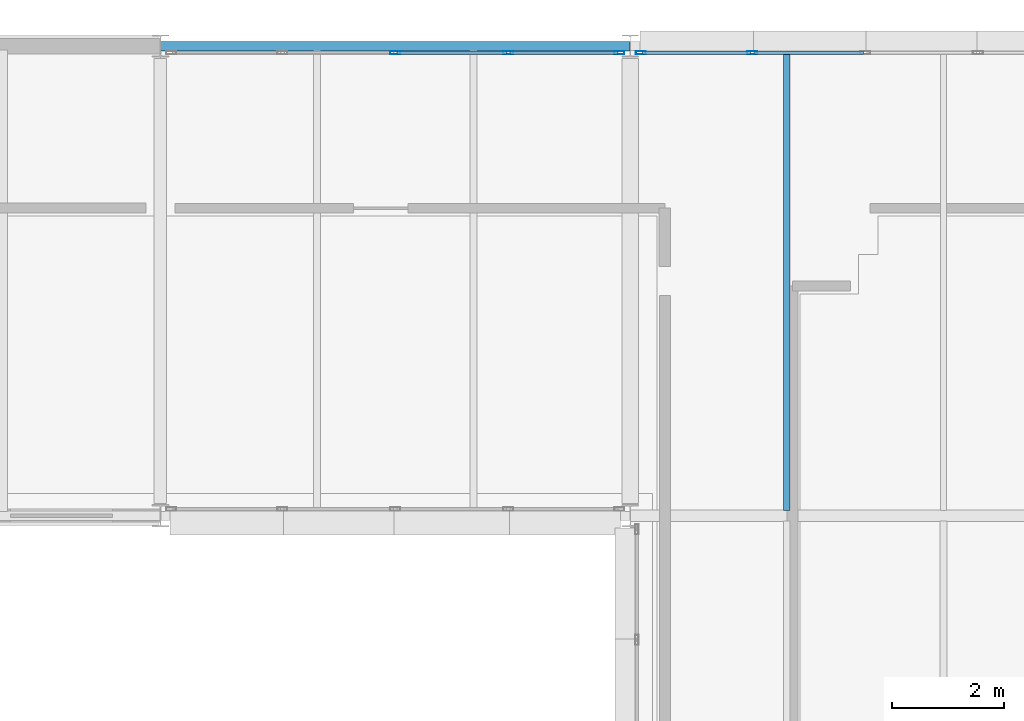
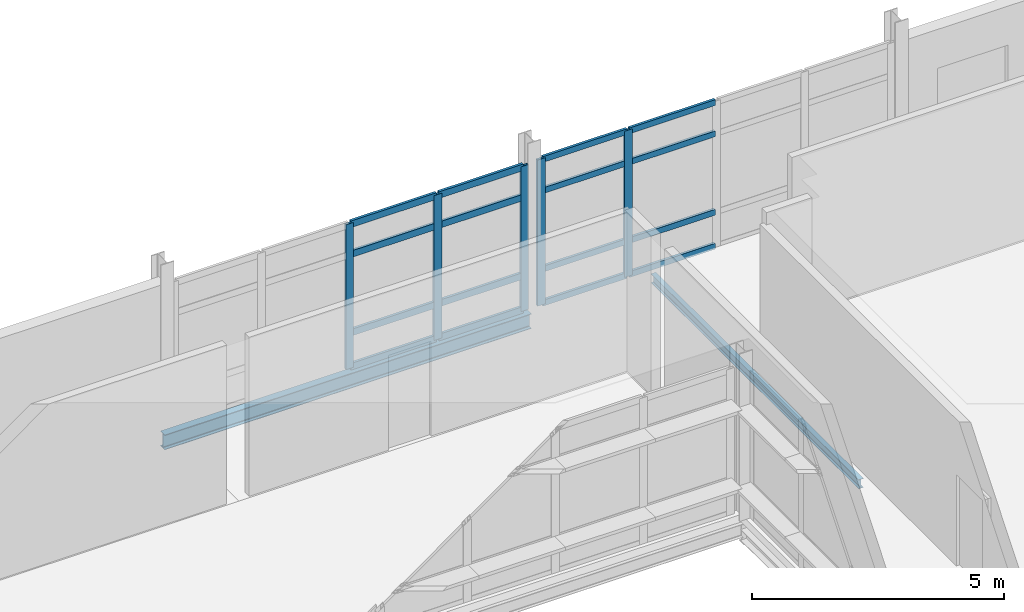
# One storey, part 47 of 103: 21 members, 2 beams, 2 elements without a shape of their own.
"""IFC4 building model written with IfcOpenShell, lengths in metres."""

import ifcopenshell
import ifcopenshell.guid

model = None  # the IFC model being written
_history = None  # IfcOwnerHistory: only IFC2X3 demands one
_inside = {}  # id of a spatial element -> (the spatial element, [elements in it])
_under = {}  # id of a project, library or spatial element -> (it, [spatial elements below it])
_declared = {}  # id of a project -> (the project, [libraries it declares])
_typed = {}  # id of a type object -> (the type object, [elements of that type])
_made_of = {}  # id of a material, layer set ... -> (it, [elements and type objects made of it])


def new_model(schema):
    """Start an empty IFC model of exactly this schema.

    Asked for "IFC4X3", IfcOpenShell would pick the latest addendum, in which some entities
    have other attributes; the version numbers below select the first issue.
    IFC2X3 requires an IfcOwnerHistory on every rooted entity: one is made here for all.
    """
    global model, _history
    if schema == "IFC4X3":
        model = ifcopenshell.file(schema_version=(4, 3, 0, 0))
    else:
        model = ifcopenshell.file(schema=schema)
    _inside.clear()
    _under.clear()
    _declared.clear()
    _typed.clear()
    _made_of.clear()
    _history = None
    if model.schema == "IFC2X3":
        org = make("IfcOrganization", Name="unknown")
        user = make(
            "IfcPersonAndOrganization",
            ThePerson=make("IfcPerson", FamilyName="unknown"),
            TheOrganization=org,
        )
        app = make(
            "IfcApplication",
            ApplicationDeveloper=org,
            Version="unknown",
            ApplicationFullName="unknown",
            ApplicationIdentifier="unknown",
        )
        _history = make(
            "IfcOwnerHistory",
            OwningUser=user,
            OwningApplication=app,
            ChangeAction="ADDED",
            CreationDate=0,
        )
    return model


def make(cls, **values):
    """One entity of the class cls with the attributes given. An attribute that is None is left unset."""
    return model.create_entity(
        cls, **{name: value for name, value in values.items() if value is not None}
    )


def rooted(cls, **values):
    """An entity with a GlobalId (a new one), such as an element, a storey or a relation."""
    return make(cls, GlobalId=ifcopenshell.guid.new(), OwnerHistory=_history, **values)


def si_unit(unit_type, name, prefix=None):
    """IfcSIUnit, for example si_unit("LENGTHUNIT", "METRE", prefix="MILLI")."""
    return make("IfcSIUnit", UnitType=unit_type, Prefix=prefix, Name=name)


def assignment(units):
    """IfcUnitAssignment: the units of a project."""
    return None if units is None else make("IfcUnitAssignment", Units=units)


def point(xyz):
    """IfcCartesianPoint."""
    return None if xyz is None else make("IfcCartesianPoint", Coordinates=xyz)


def direction(xyz):
    """IfcDirection."""
    return None if xyz is None else make("IfcDirection", DirectionRatios=xyz)


def frame(location, z_axis=None, x_axis=None):
    """IfcAxis2Placement3D, a coordinate frame: its origin and axes. An axis left out is left unset."""
    return make(
        "IfcAxis2Placement3D",
        Location=point(location),
        Axis=direction(z_axis),
        RefDirection=direction(x_axis),
    )


def frame_2d(location, x_axis=None):
    """IfcAxis2Placement2D, a coordinate frame in the plane: its origin and x axis."""
    return make(
        "IfcAxis2Placement2D", Location=point(location), RefDirection=direction(x_axis)
    )


def origin():
    """The frame at (0, 0, 0) with its axes left unset."""
    return frame((0.0, 0.0, 0.0))


def origin_2d():
    """The frame at (0, 0) in the plane with its x axis left unset."""
    return frame_2d((0.0, 0.0))


def place(relative_to, where):
    """IfcLocalPlacement: puts the frame where relative to a parent placement (None: the world)."""
    return make(
        "IfcLocalPlacement", PlacementRelTo=relative_to, RelativePlacement=where
    )


def context(
    kind, dimensions, precision=None, world=None, true_north=None, identifier=None
):
    """IfcGeometricRepresentationContext, for example the 3D "Model" context."""
    return make(
        "IfcGeometricRepresentationContext",
        ContextIdentifier=identifier,
        ContextType=kind,
        CoordinateSpaceDimension=dimensions,
        Precision=precision,
        WorldCoordinateSystem=world,
        TrueNorth=true_north,
    )


def subcontext(parent, identifier, kind, view, scale=None):
    """IfcGeometricRepresentationSubContext, for example "Body" below "Model"."""
    return make(
        "IfcGeometricRepresentationSubContext",
        ContextIdentifier=identifier,
        ContextType=kind,
        ParentContext=parent,
        TargetScale=scale,
        TargetView=view,
    )


def project(units=None, contexts=None):
    """IfcProject with its units and contexts."""
    return rooted(
        "IfcProject",
        Name="project",
        RepresentationContexts=contexts,
        UnitsInContext=assignment(units),
    )


def spatial(cls, under=None, at=None, **own):
    """A site, building, storey or space (cls), placed at a placement, below another one or the project."""
    s = rooted(cls, ObjectPlacement=at, **own)
    if under is not None:
        _under.setdefault(under.id(), (under, []))[1].append(s)
    return s


def profile(cls, at=None, kind="AREA", **sizes):
    """A parametric profile (cls). Its sizes go by their IFC names, for example OverallWidth=200.0."""
    return make(cls, ProfileType=kind, Position=at, **sizes)


def hollow_rectangle(**sizes):
    """IfcRectangleHollowProfileDef."""
    return profile("IfcRectangleHollowProfileDef", **sizes)


def i_section(**sizes):
    """IfcIShapeProfileDef."""
    return profile("IfcIShapeProfileDef", **sizes)


def extrude(swept, where, along, depth):
    """IfcExtrudedAreaSolid: the profile swept, set in the frame where, extruded along a direction by depth."""
    return make(
        "IfcExtrudedAreaSolid",
        SweptArea=swept,
        Position=where,
        ExtrudedDirection=direction(along),
        Depth=depth,
    )


def shape(context_of_items, identifier, shape_type, items):
    """IfcShapeRepresentation: the items that make up one representation, for example the "Body"."""
    return make(
        "IfcShapeRepresentation",
        ContextOfItems=context_of_items,
        RepresentationIdentifier=identifier,
        RepresentationType=shape_type,
        Items=items,
    )


def material(Name=None, Category=None):
    """IfcMaterial."""
    return make("IfcMaterial", Name=Name, Category=Category)


def material_profile(
    of_material, cross_section, Name=None, Category=None, Priority=None
):
    """IfcMaterialProfile: a cross section and its material."""
    return make(
        "IfcMaterialProfile",
        Name=Name,
        Material=of_material,
        Profile=cross_section,
        Priority=Priority,
        Category=Category,
    )


def profile_set(profiles, Name=None, composite=None):
    """IfcMaterialProfileSet."""
    return make(
        "IfcMaterialProfileSet",
        Name=Name,
        MaterialProfiles=profiles,
        CompositeProfile=composite,
    )


def made_of(thing, what):
    """Note that an element or type object is made of a material, layer set ...; save() writes the relation."""
    if what is not None:
        _made_of.setdefault(what.id(), (what, []))[1].append(thing)
    return thing


def type_object(cls, material=None, **own):
    """A type object (cls), such as IfcWallType, which elements share."""
    return made_of(rooted(cls, **own), material)


def element(
    cls,
    number,
    at=None,
    inside=None,
    cuts=None,
    type_object=None,
    material=None,
    context=None,
    identifier="Body",
    shape_type=None,
    held_by="IfcProductDefinitionShape",
    body=None,
    shapes=None,
    **own,
):
    """One element of the class cls, such as IfcWall. Its Tag is "e" and its number.

    at: its placement. inside: the storey or other place that contains it. cuts: it is an
    opening in that element (IfcRelVoidsElement). A single representation is given by context,
    identifier, shape_type and body (its items); several are given by shapes. held_by: the class
    of the entity that holds the representations. save() writes the other relations.
    """
    e = rooted(cls, Tag="e%d" % number, ObjectPlacement=at, **own)
    if body is not None:
        shapes = [shape(context, identifier, shape_type, body)]
    if shapes is not None:
        e.Representation = make(held_by, Representations=shapes)
    if inside is not None:
        _inside.setdefault(inside.id(), (inside, []))[1].append(e)
    if cuts is not None:
        rooted(
            "IfcRelVoidsElement", RelatingBuildingElement=cuts, RelatedOpeningElement=e
        )
    if type_object is not None:
        _typed.setdefault(type_object.id(), (type_object, []))[1].append(e)
    return made_of(e, material)


def aggregate(whole, parts):
    """IfcRelAggregates: a whole, such as a stair, and the parts it consists of."""
    return rooted("IfcRelAggregates", RelatingObject=whole, RelatedObjects=parts)


def save(model, path):
    """Write the relations noted so far, then the file.

    IfcRelAggregates (storeys below a building ...), IfcRelContainedInSpatialStructure (elements
    in a storey), IfcRelDefinesByType, IfcRelAssociatesMaterial and IfcRelDeclares: one each for
    every whole, place, type object, material and project.
    """
    for whole, parts in _under.values():
        aggregate(whole, parts)
    for where, things in _inside.values():
        rooted(
            "IfcRelContainedInSpatialStructure",
            RelatedElements=things,
            RelatingStructure=where,
        )
    for kind, things in _typed.values():
        rooted("IfcRelDefinesByType", RelatedObjects=things, RelatingType=kind)
    for what, things in _made_of.values():
        rooted("IfcRelAssociatesMaterial", RelatedObjects=things, RelatingMaterial=what)
    for by, libraries in _declared.values():
        rooted("IfcRelDeclares", RelatingContext=by, RelatedDefinitions=libraries)
    model.write(path)


model = new_model("IFC4")

# Units and contexts
model_context = context("Model", 3, precision=1e-05, world=origin(), true_north=direction((0.0, 1.0)))
body_context = subcontext(model_context, "Body", "Model", "MODEL_VIEW")
ifc_project = project(units=[si_unit("LENGTHUNIT", "METRE"), si_unit("AREAUNIT", "SQUARE_METRE"), si_unit("VOLUMEUNIT", "CUBIC_METRE"), si_unit("PLANEANGLEUNIT", "RADIAN"), si_unit("MASSUNIT", "GRAM", prefix="KILO")], contexts=[model_context])

# Site, building, storey
site_placement = place(None, origin())
site = spatial("IfcSite", under=ifc_project, at=site_placement, CompositionType="ELEMENT")
building_placement = place(site_placement, origin())
building = spatial("IfcBuilding", under=site, at=building_placement, Name="Mersafa Astral City Hall", CompositionType="ELEMENT")
storey_placement = place(building_placement, frame((0.0, 0.0, 18.0)))
storey = spatial("IfcBuildingStorey", under=building, at=storey_placement, Name="L04", CompositionType="ELEMENT", Elevation=18.0)

# Curtain wall, members
ifc_material_1 = material(Name="Anodised bronze aluminium framing", Category="aluminium")
curtain_wall_type_1 = type_object("IfcCurtainWallType", Name="ENV-CW-4", PredefinedType="USERDEFINED", material=ifc_material_1)
curtain_wall_1_placement = place(storey_placement, origin())
curtain_wall_1 = element("IfcCurtainWall", 1, at=curtain_wall_1_placement, inside=storey, type_object=curtain_wall_type_1, Name="L04 Unitised solar curtain wall 195", ObjectType="UNITISED CURTAIN WALL", PredefinedType="USERDEFINED")
ifc_material_profile_1 = material_profile(ifc_material_1, hollow_rectangle(XDim=0.06005859375, YDim=0.179931640625, WallThickness=0.00390625, at=origin_2d()), Name="RHS 60x180x4")
ifc_profile_set_1 = profile_set([ifc_material_profile_1], Name="Anodised bronze aluminium framing")
member_type_1 = type_object("IfcMemberType", Name="ENV-CW-MUL-1", PredefinedType="MULLION", material=ifc_profile_set_1)
member_1_placement = place(storey_placement, frame((102.98095703125, 125.8798828125, -0.001953125), z_axis=(0.0, 0.0, 1.0), x_axis=(0.0, -1.0, 0.0)))
member_1 = element("IfcMember", 2, at=member_1_placement, type_object=member_type_1, Name="CW-4 mullion 4", PredefinedType="MULLION", context=body_context, shape_type="SweptSolid", body=[
    extrude(hollow_rectangle(XDim=0.06005859375, YDim=0.179931640625, WallThickness=0.00390625, at=origin_2d()), origin(), (0.0, 0.0, 1.0), 3.5390625),
])
member_2_placement = place(storey_placement, frame((100.991943359375, 125.8798828125, -0.001953125), z_axis=(0.0, 0.0, 1.0), x_axis=(0.0, -1.0, 0.0)))
member_2 = element("IfcMember", 3, at=member_2_placement, type_object=member_type_1, Name="CW-4 mullion 5", PredefinedType="MULLION", context=body_context, shape_type="SweptSolid", body=[
    extrude(hollow_rectangle(XDim=0.06005859375, YDim=0.179931640625, WallThickness=0.00390625, at=origin_2d()), origin(), (0.0, 0.0, 1.0), 3.5390625),
])

curtain_wall_type_2 = type_object("IfcCurtainWallType", Name="ENV-CW-5", PredefinedType="USERDEFINED", material=ifc_material_1)
curtain_wall_2_placement = place(storey_placement, origin())
curtain_wall_2 = element("IfcCurtainWall", 4, at=curtain_wall_2_placement, inside=storey, type_object=curtain_wall_type_2, Name="L04 Unitised solar curtain wall 196", ObjectType="UNITISED CURTAIN WALL", PredefinedType="USERDEFINED")
member_3_placement = place(storey_placement, frame((100.60791015625, 125.8798828125, -0.001953125), z_axis=(0.0, 0.0, 1.0), x_axis=(0.0, -1.0, 0.0)))
member_3 = element("IfcMember", 5, at=member_3_placement, type_object=member_type_1, Name="CW-5 mullion 1", PredefinedType="MULLION", context=body_context, shape_type="SweptSolid", body=[
    extrude(hollow_rectangle(XDim=0.06005859375, YDim=0.179931640625, WallThickness=0.00390625, at=origin_2d()), origin(), (0.0, 0.0, 1.0), 3.509033203125),
])
member_4_placement = place(storey_placement, frame((98.618896484375, 125.8798828125, -0.001953125), z_axis=(0.0, 0.0, 1.0), x_axis=(0.0, -1.0, 0.0)))
member_4 = element("IfcMember", 6, at=member_4_placement, type_object=member_type_1, Name="CW-5 mullion 2", PredefinedType="MULLION", context=body_context, shape_type="SweptSolid", body=[
    extrude(hollow_rectangle(XDim=0.06005859375, YDim=0.179931640625, WallThickness=0.00390625, at=origin_2d()), origin(), (0.0, 0.0, 1.0), 3.509033203125),
])
member_5_placement = place(storey_placement, frame((96.60009765625, 125.8798828125, -0.001953125), z_axis=(0.0, 0.0, 1.0), x_axis=(0.0, -1.0, 0.0)))
member_5 = element("IfcMember", 7, at=member_5_placement, type_object=member_type_1, Name="CW-5 mullion 3", PredefinedType="MULLION", context=body_context, shape_type="SweptSolid", body=[
    extrude(hollow_rectangle(XDim=0.06005859375, YDim=0.179931640625, WallThickness=0.00390625, at=origin_2d()), origin(), (0.0, 0.0, 1.0), 3.509033203125),
])

# Member
ifc_material_profile_2 = material_profile(ifc_material_1, hollow_rectangle(XDim=0.06005859375, YDim=0.139892578125, WallThickness=0.00390625, at=origin_2d()), Name="RHS 60x140x4")
ifc_profile_set_2 = profile_set([ifc_material_profile_2], Name="Anodised bronze aluminium framing")
member_type_2 = type_object("IfcMemberType", Name="ENV-CW-TRN-1", PredefinedType="USERDEFINED", material=ifc_profile_set_2)
member_6_placement = place(storey_placement, frame((104.969970703125, 125.8798828125, 0.028076171875), z_axis=(-1.0, 0.0, 0.0), x_axis=(0.0, -1.0, 0.0)))
member_6 = element("IfcMember", 8, at=member_6_placement, type_object=member_type_2, Name="CW-4 transom 3.1", ObjectType="TRANSOM", PredefinedType="USERDEFINED", context=body_context, shape_type="SweptSolid", body=[
    extrude(hollow_rectangle(XDim=0.06005859375, YDim=0.139892578125, WallThickness=0.00390625, at=origin_2d()), origin(), (0.0, 0.0, 1.0), 1.958984375),
])

member_7_placement = place(storey_placement, frame((104.969970703125, 125.8798828125, 0.85009765625), z_axis=(-1.0, 0.0, 0.0), x_axis=(0.0, -1.0, 0.0)))
member_7 = element("IfcMember", 9, at=member_7_placement, type_object=member_type_2, Name="CW-4 transom 3.2", ObjectType="TRANSOM", PredefinedType="USERDEFINED", context=body_context, shape_type="SweptSolid", body=[
    extrude(hollow_rectangle(XDim=0.06005859375, YDim=0.139892578125, WallThickness=0.00390625, at=origin_2d()), origin(), (0.0, 0.0, 1.0), 1.958984375),
])

member_8_placement = place(storey_placement, frame((104.969970703125, 125.8798828125, 2.75), z_axis=(-1.0, 0.0, 0.0), x_axis=(0.0, -1.0, 0.0)))
member_8 = element("IfcMember", 10, at=member_8_placement, type_object=member_type_2, Name="CW-4 transom 3.3", ObjectType="TRANSOM", PredefinedType="USERDEFINED", context=body_context, shape_type="SweptSolid", body=[
    extrude(hollow_rectangle(XDim=0.06005859375, YDim=0.139892578125, WallThickness=0.00390625, at=origin_2d()), origin(), (0.0, 0.0, 1.0), 1.958984375),
])

member_9_placement = place(storey_placement, frame((104.969970703125, 125.8798828125, 3.507080078125), z_axis=(-1.0, 0.0, 0.0), x_axis=(0.0, -1.0, 0.0)))
member_9 = element("IfcMember", 11, at=member_9_placement, type_object=member_type_2, Name="CW-4 transom 3.4", ObjectType="TRANSOM", PredefinedType="USERDEFINED", context=body_context, shape_type="SweptSolid", body=[
    extrude(hollow_rectangle(XDim=0.06005859375, YDim=0.139892578125, WallThickness=0.00390625, at=origin_2d()), origin(), (0.0, 0.0, 1.0), 1.958984375),
])

member_10_placement = place(storey_placement, frame((102.950927734375, 125.8798828125, 0.028076171875), z_axis=(-1.0, 0.0, 0.0), x_axis=(0.0, -1.0, 0.0)))
member_10 = element("IfcMember", 12, at=member_10_placement, type_object=member_type_2, Name="CW-4 transom 4.1", ObjectType="TRANSOM", PredefinedType="USERDEFINED", context=body_context, shape_type="SweptSolid", body=[
    extrude(hollow_rectangle(XDim=0.06005859375, YDim=0.139892578125, WallThickness=0.00390625, at=origin_2d()), origin(), (0.0, 0.0, 1.0), 1.928955078125),
])

member_11_placement = place(storey_placement, frame((102.950927734375, 125.8798828125, 0.85009765625), z_axis=(-1.0, 0.0, 0.0), x_axis=(0.0, -1.0, 0.0)))
member_11 = element("IfcMember", 13, at=member_11_placement, type_object=member_type_2, Name="CW-4 transom 4.2", ObjectType="TRANSOM", PredefinedType="USERDEFINED", context=body_context, shape_type="SweptSolid", body=[
    extrude(hollow_rectangle(XDim=0.06005859375, YDim=0.139892578125, WallThickness=0.00390625, at=origin_2d()), origin(), (0.0, 0.0, 1.0), 1.928955078125),
])

member_12_placement = place(storey_placement, frame((102.950927734375, 125.8798828125, 2.75), z_axis=(-1.0, 0.0, 0.0), x_axis=(0.0, -1.0, 0.0)))
member_12 = element("IfcMember", 14, at=member_12_placement, type_object=member_type_2, Name="CW-4 transom 4.3", ObjectType="TRANSOM", PredefinedType="USERDEFINED", context=body_context, shape_type="SweptSolid", body=[
    extrude(hollow_rectangle(XDim=0.06005859375, YDim=0.139892578125, WallThickness=0.00390625, at=origin_2d()), origin(), (0.0, 0.0, 1.0), 1.928955078125),
])

member_13_placement = place(storey_placement, frame((102.950927734375, 125.8798828125, 3.507080078125), z_axis=(-1.0, 0.0, 0.0), x_axis=(0.0, -1.0, 0.0)))
member_13 = element("IfcMember", 15, at=member_13_placement, type_object=member_type_2, Name="CW-4 transom 4.4", ObjectType="TRANSOM", PredefinedType="USERDEFINED", context=body_context, shape_type="SweptSolid", body=[
    extrude(hollow_rectangle(XDim=0.06005859375, YDim=0.139892578125, WallThickness=0.00390625, at=origin_2d()), origin(), (0.0, 0.0, 1.0), 1.928955078125),
])

aggregate(curtain_wall_1, [member_1, member_2, member_6, member_7, member_8, member_9, member_10, member_11, member_12, member_13])

ifc_material_profile_3 = material_profile(ifc_material_1, hollow_rectangle(XDim=0.06005859375, YDim=0.159912109375, WallThickness=0.00390625, at=origin_2d()), Name="RHS 60x160x4")
ifc_profile_set_3 = profile_set([ifc_material_profile_3], Name="Anodised bronze aluminium framing")
member_type_3 = type_object("IfcMemberType", Name="ENV-CW-TRN-2", PredefinedType="USERDEFINED", material=ifc_profile_set_3)
member_14_placement = place(storey_placement, frame((100.577880859375, 125.8798828125, 0.028076171875), z_axis=(-1.0, 0.0, 0.0), x_axis=(0.0, -1.0, 0.0)))
member_14 = element("IfcMember", 16, at=member_14_placement, type_object=member_type_3, Name="CW-5 transom 1.1", ObjectType="TRANSOM", PredefinedType="USERDEFINED", context=body_context, shape_type="SweptSolid", body=[
    extrude(hollow_rectangle(XDim=0.06005859375, YDim=0.159912109375, WallThickness=0.00390625, at=origin_2d()), origin(), (0.0, 0.0, 1.0), 1.928955078125),
])

member_15_placement = place(storey_placement, frame((100.577880859375, 125.8798828125, 0.85009765625), z_axis=(-1.0, 0.0, 0.0), x_axis=(0.0, -1.0, 0.0)))
member_15 = element("IfcMember", 17, at=member_15_placement, type_object=member_type_3, Name="CW-5 transom 1.2", ObjectType="TRANSOM", PredefinedType="USERDEFINED", context=body_context, shape_type="SweptSolid", body=[
    extrude(hollow_rectangle(XDim=0.06005859375, YDim=0.159912109375, WallThickness=0.00390625, at=origin_2d()), origin(), (0.0, 0.0, 1.0), 1.928955078125),
])

member_16_placement = place(storey_placement, frame((100.577880859375, 125.8798828125, 2.75), z_axis=(-1.0, 0.0, 0.0), x_axis=(0.0, -1.0, 0.0)))
member_16 = element("IfcMember", 18, at=member_16_placement, type_object=member_type_3, Name="CW-5 transom 1.3", ObjectType="TRANSOM", PredefinedType="USERDEFINED", context=body_context, shape_type="SweptSolid", body=[
    extrude(hollow_rectangle(XDim=0.06005859375, YDim=0.159912109375, WallThickness=0.00390625, at=origin_2d()), origin(), (0.0, 0.0, 1.0), 1.928955078125),
])

member_17_placement = place(storey_placement, frame((100.577880859375, 125.8798828125, 3.47705078125), z_axis=(-1.0, 0.0, 0.0), x_axis=(0.0, -1.0, 0.0)))
member_17 = element("IfcMember", 19, at=member_17_placement, type_object=member_type_3, Name="CW-5 transom 1.4", ObjectType="TRANSOM", PredefinedType="USERDEFINED", context=body_context, shape_type="SweptSolid", body=[
    extrude(hollow_rectangle(XDim=0.06005859375, YDim=0.159912109375, WallThickness=0.00390625, at=origin_2d()), origin(), (0.0, 0.0, 1.0), 1.928955078125),
])

member_18_placement = place(storey_placement, frame((98.589111328125, 125.8798828125, 0.028076171875), z_axis=(-1.0, 0.0, 0.0), x_axis=(0.0, -1.0, 0.0)))
member_18 = element("IfcMember", 20, at=member_18_placement, type_object=member_type_3, Name="CW-5 transom 2.1", ObjectType="TRANSOM", PredefinedType="USERDEFINED", context=body_context, shape_type="SweptSolid", body=[
    extrude(hollow_rectangle(XDim=0.06005859375, YDim=0.159912109375, WallThickness=0.00390625, at=origin_2d()), origin(), (0.0, 0.0, 1.0), 1.959228515625),
])

member_19_placement = place(storey_placement, frame((98.589111328125, 125.8798828125, 0.85009765625), z_axis=(-1.0, 0.0, 0.0), x_axis=(0.0, -1.0, 0.0)))
member_19 = element("IfcMember", 21, at=member_19_placement, type_object=member_type_3, Name="CW-5 transom 2.2", ObjectType="TRANSOM", PredefinedType="USERDEFINED", context=body_context, shape_type="SweptSolid", body=[
    extrude(hollow_rectangle(XDim=0.06005859375, YDim=0.159912109375, WallThickness=0.00390625, at=origin_2d()), origin(), (0.0, 0.0, 1.0), 1.959228515625),
])

member_20_placement = place(storey_placement, frame((98.589111328125, 125.8798828125, 2.75), z_axis=(-1.0, 0.0, 0.0), x_axis=(0.0, -1.0, 0.0)))
member_20 = element("IfcMember", 22, at=member_20_placement, type_object=member_type_3, Name="CW-5 transom 2.3", ObjectType="TRANSOM", PredefinedType="USERDEFINED", context=body_context, shape_type="SweptSolid", body=[
    extrude(hollow_rectangle(XDim=0.06005859375, YDim=0.159912109375, WallThickness=0.00390625, at=origin_2d()), origin(), (0.0, 0.0, 1.0), 1.959228515625),
])

member_21_placement = place(storey_placement, frame((98.589111328125, 125.8798828125, 3.47705078125), z_axis=(-1.0, 0.0, 0.0), x_axis=(0.0, -1.0, 0.0)))
member_21 = element("IfcMember", 23, at=member_21_placement, type_object=member_type_3, Name="CW-5 transom 2.4", ObjectType="TRANSOM", PredefinedType="USERDEFINED", context=body_context, shape_type="SweptSolid", body=[
    extrude(hollow_rectangle(XDim=0.06005859375, YDim=0.159912109375, WallThickness=0.00390625, at=origin_2d()), origin(), (0.0, 0.0, 1.0), 1.959228515625),
])

aggregate(curtain_wall_2, [member_3, member_4, member_5, member_14, member_15, member_16, member_17, member_18, member_19, member_20, member_21])

# Beams
ifc_material_2 = material(Name="Steel S355", Category="steel")
ifc_material_profile_4 = material_profile(ifc_material_2, i_section(OverallWidth=0.110107421875, OverallDepth=0.219970703125, WebThickness=0.005859375, FlangeThickness=0.00927734375, FilletRadius=0.011962890625, at=origin_2d()), Name="IPE 220")
ifc_profile_set_4 = profile_set([ifc_material_profile_4], Name="Steel S355")
beam_type_1 = type_object("IfcBeamType", Name="STR-BM-JOIST-IPE220", PredefinedType="JOIST", material=ifc_profile_set_4)
beam_1_placement = place(storey_placement, frame((103.60009765625, 117.695068359375, -0.294921875), z_axis=(0.0, 1.0, 0.0), x_axis=(-1.0, 0.0, 0.0)))
element("IfcBeam", 24, at=beam_1_placement, inside=storey, type_object=beam_type_1, Name="L04 Composite secondary floor joist 730", PredefinedType="JOIST", context=body_context, shape_type="SweptSolid", body=[
    extrude(i_section(OverallWidth=0.110107421875, OverallDepth=0.219970703125, WebThickness=0.005859375, FlangeThickness=0.00927734375, FilletRadius=0.011962890625, at=origin_2d()), origin(), (0.0, 0.0, 1.0), 8.22998046875),
])
ifc_material_profile_5 = material_profile(ifc_material_2, i_section(OverallWidth=0.169921875, OverallDepth=0.360107421875, WebThickness=0.008056640625, FlangeThickness=0.0126953125, FilletRadius=0.01806640625, at=origin_2d()), Name="IPE 360")
ifc_profile_set_5 = profile_set([ifc_material_profile_5], Name="Steel S355")
beam_type_2 = type_object("IfcBeamType", Name="STR-BM-SPANDREL-IPE360", PredefinedType="SPANDREL", material=ifc_profile_set_5)
beam_2_placement = place(storey_placement, frame((92.403076171875, 126.0, -0.364990234375), z_axis=(1.0, 0.0, 0.0), x_axis=(0.0, 1.0, 0.0)))
element("IfcBeam", 25, at=beam_2_placement, inside=storey, type_object=beam_type_2, Name="L04 Primary girder X 11-15", PredefinedType="SPANDREL", context=body_context, shape_type="SweptSolid", body=[
    extrude(i_section(OverallWidth=0.169921875, OverallDepth=0.360107421875, WebThickness=0.008056640625, FlangeThickness=0.0126953125, FilletRadius=0.01806640625, at=origin_2d()), origin(), (0.0, 0.0, 1.0), 8.39404296875),
])

save(model, "model.ifc")
